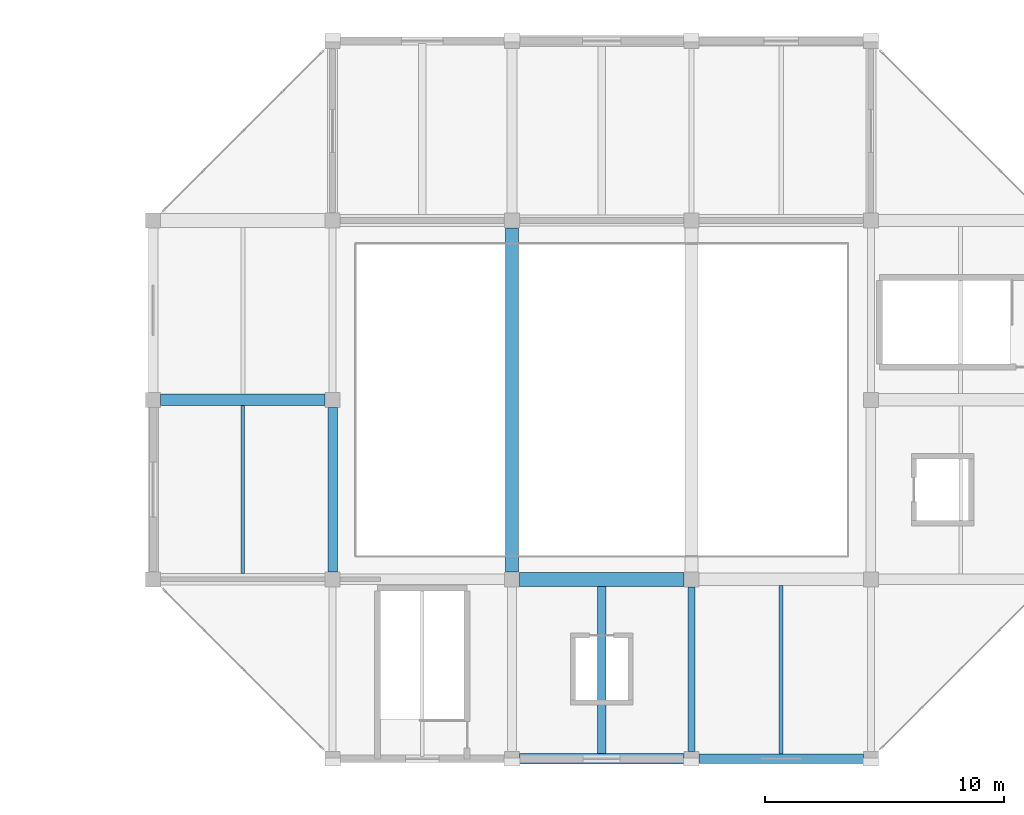
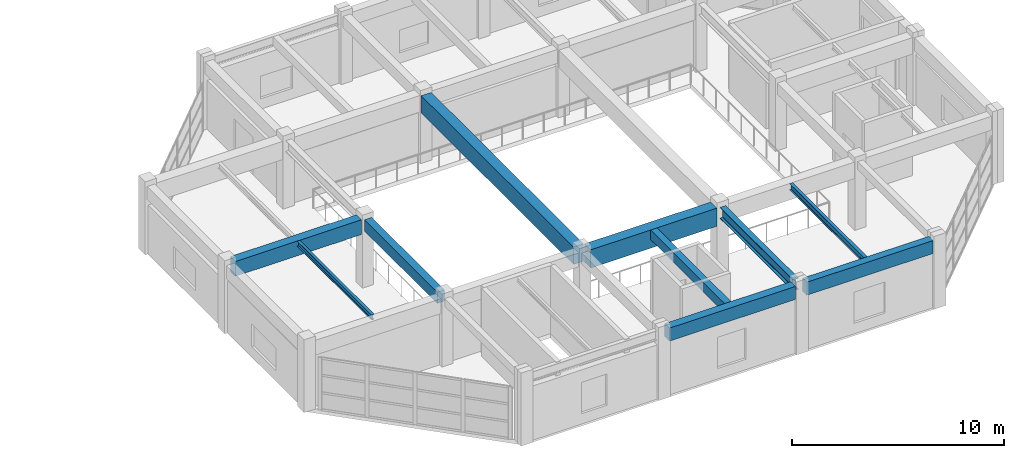
# One storey, part 60 of 124: 10 beams.
"""IFC4 building model written with IfcOpenShell, lengths in metres."""

from ifc_helpers import new_model, si_unit, direction, frame, origin, origin_2d, place, context, subcontext, project, spatial, rectangle, i_section, extrude, material, material_profile, profile_set, type_object, element, save


model = new_model("IFC4")

# Units and contexts
model_context = context("Model", 3, precision=1e-05, world=origin(), true_north=direction((0.0, 1.0)))
body_context = subcontext(model_context, "Body", "Model", "MODEL_VIEW")
ifc_project = project(units=[si_unit("LENGTHUNIT", "METRE"), si_unit("AREAUNIT", "SQUARE_METRE"), si_unit("VOLUMEUNIT", "CUBIC_METRE"), si_unit("PLANEANGLEUNIT", "RADIAN"), si_unit("MASSUNIT", "GRAM", prefix="KILO")], contexts=[model_context])

# Site, building, storey
site_placement = place(None, origin())
site = spatial("IfcSite", under=ifc_project, at=site_placement, CompositionType="ELEMENT")
building_placement = place(site_placement, origin())
building = spatial("IfcBuilding", under=site, at=building_placement, Name="Qasida Concert Hall", CompositionType="ELEMENT")
storey_placement = place(building_placement, frame((0.0, 0.0, 9.0)))
storey = spatial("IfcBuildingStorey", under=building, at=storey_placement, Name="L02", CompositionType="ELEMENT", Elevation=9.0)

# Beams
ifc_material_1 = material(Name="Concrete C40/50", Category="concrete")
ifc_material_profile_1 = material_profile(ifc_material_1, rectangle(XDim=0.39990234375, YDim=0.64990234375, at=origin_2d()), Name="RC 400x650")
ifc_profile_set_1 = profile_set([ifc_material_profile_1], Name="Concrete C40/50")
beam_type_1 = type_object("IfcBeamType", Name="BM-B1", PredefinedType="BEAM", material=ifc_profile_set_1)
beam_1_placement = place(storey_placement, frame((135.0, 7.81005859375, 3.574951171875), z_axis=(0.0, 1.0, 0.0), x_axis=(-1.0, 0.0, 0.0)))
element("IfcBeam", 1, at=beam_1_placement, inside=storey, type_object=beam_type_1, Name="L02 girder 1244", PredefinedType="BEAM", context=body_context, shape_type="SweptSolid", body=[
    extrude(rectangle(XDim=0.39990234375, YDim=0.64990234375, at=origin_2d()), origin(), (0.0, 0.0, 1.0), 6.8798828125),
])
ifc_material_2 = material(Name="Steel S355J2", Category="steel")
ifc_material_profile_2 = material_profile(ifc_material_2, i_section(OverallWidth=0.300048828125, OverallDepth=0.64990234375, WebThickness=0.01611328125, FlangeThickness=0.031005859375, FilletRadius=0.027099609375, at=origin_2d()), Name="HEB 650")
ifc_profile_set_2 = profile_set([ifc_material_profile_2], Name="Steel S355J2")
beam_type_2 = type_object("IfcBeamType", Name="BM-B13", PredefinedType="BEAM", material=ifc_profile_set_2)
beam_2_placement = place(storey_placement, frame((150.0, 0.31005859375, 3.574951171875), z_axis=(0.0, 1.0, 0.0), x_axis=(-1.0, 0.0, 0.0)))
element("IfcBeam", 2, at=beam_2_placement, inside=storey, type_object=beam_type_2, Name="L02 girder 1250", PredefinedType="BEAM", context=body_context, shape_type="SweptSolid", body=[
    extrude(i_section(OverallWidth=0.300048828125, OverallDepth=0.64990234375, WebThickness=0.01611328125, FlangeThickness=0.031005859375, FilletRadius=0.027099609375, at=origin_2d()), origin(), (0.0, 0.0, 1.0), 6.8798828125),
])
ifc_material_profile_3 = material_profile(ifc_material_1, rectangle(XDim=0.550048828125, YDim=1.0, at=origin_2d()), Name="RC 550x1000")
ifc_profile_set_3 = profile_set([ifc_material_profile_3], Name="Concrete C40/50")
beam_type_3 = type_object("IfcBeamType", Name="BM-G3", PredefinedType="USERDEFINED", material=ifc_profile_set_3)
beam_3_placement = place(storey_placement, frame((142.5, 7.81005859375, 3.39990234375), z_axis=(0.0, 1.0, 0.0), x_axis=(-1.0, 0.0, 0.0)))
element("IfcBeam", 3, at=beam_3_placement, inside=storey, type_object=beam_type_3, Name="L02 girder 1248", ObjectType="GIRDER", PredefinedType="USERDEFINED", context=body_context, shape_type="SweptSolid", body=[
    extrude(rectangle(XDim=0.550048828125, YDim=1.0, at=origin_2d()), origin(), (0.0, 0.0, 1.0), 14.3798828125),
])
ifc_material_profile_4 = material_profile(ifc_material_1, rectangle(XDim=0.47998046875, YDim=0.85009765625, at=origin_2d()), Name="RC 480x850")
ifc_profile_set_4 = profile_set([ifc_material_profile_4], Name="Concrete C40/50")
beam_type_4 = type_object("IfcBeamType", Name="BM-G6", PredefinedType="USERDEFINED", material=ifc_profile_set_4)
beam_4_placement = place(storey_placement, frame((127.81005859375, 15.0, 3.47509765625), z_axis=(1.0, 0.0, 0.0), x_axis=(0.0, 1.0, 0.0)))
element("IfcBeam", 4, at=beam_4_placement, inside=storey, type_object=beam_type_4, Name="Primary girder 1231", ObjectType="GIRDER", PredefinedType="USERDEFINED", context=body_context, shape_type="SweptSolid", body=[
    extrude(rectangle(XDim=0.47998046875, YDim=0.85009765625, at=origin_2d()), origin(), (0.0, 0.0, 1.0), 6.8798828125),
])
ifc_material_3 = material(Name="Concrete C50/60", Category="concrete")
ifc_material_profile_5 = material_profile(ifc_material_3, rectangle(XDim=0.580078125, YDim=1.050048828125, at=origin_2d()), Name="RC 580x1050")
ifc_profile_set_5 = profile_set([ifc_material_profile_5], Name="Concrete C50/60")
beam_type_5 = type_object("IfcBeamType", Name="BM-G8", PredefinedType="USERDEFINED", material=ifc_profile_set_5)
beam_5_placement = place(storey_placement, frame((142.81005859375, 7.5, 3.375), z_axis=(1.0, 0.0, 0.0), x_axis=(0.0, 1.0, 0.0)))
element("IfcBeam", 5, at=beam_5_placement, inside=storey, type_object=beam_type_5, Name="Primary girder 1228", ObjectType="GIRDER", PredefinedType="USERDEFINED", context=body_context, shape_type="SweptSolid", body=[
    extrude(rectangle(XDim=0.580078125, YDim=1.050048828125, at=origin_2d()), origin(), (0.0, 0.0, 1.0), 6.8798828125),
])
ifc_material_profile_6 = material_profile(ifc_material_2, i_section(OverallWidth=0.169921875, OverallDepth=0.360107421875, WebThickness=0.008056640625, FlangeThickness=0.0126953125, FilletRadius=0.01806640625, at=origin_2d()), Name="IPE 360")
ifc_profile_set_6 = profile_set([ifc_material_profile_6], Name="Steel S355J2")
beam_type_6 = type_object("IfcBeamType", Name="BM-J2", PredefinedType="JOIST", material=ifc_profile_set_6)
beam_6_placement = place(storey_placement, frame((153.75, 0.199951171875, 3.719970703125), z_axis=(0.0, 1.0, 0.0), x_axis=(-1.0, 0.0, 0.0)))
element("IfcBeam", 6, at=beam_6_placement, inside=storey, type_object=beam_type_6, Name="L02 secondary joist 1265", PredefinedType="JOIST", context=body_context, shape_type="SweptSolid", body=[
    extrude(i_section(OverallWidth=0.169921875, OverallDepth=0.360107421875, WebThickness=0.008056640625, FlangeThickness=0.0126953125, FilletRadius=0.01806640625, at=origin_2d()), origin(), (0.0, 0.0, 1.0), 7.0400390625),
])
ifc_material_profile_7 = material_profile(ifc_material_2, i_section(OverallWidth=0.14990234375, OverallDepth=0.300048828125, WebThickness=0.007080078125, FlangeThickness=0.0107421875, FilletRadius=0.014892578125, at=origin_2d()), Name="IPE 300")
ifc_profile_set_7 = profile_set([ifc_material_profile_7], Name="Steel S355J2")
beam_type_7 = type_object("IfcBeamType", Name="BM-J4", PredefinedType="JOIST", material=ifc_profile_set_7)
beam_7_placement = place(storey_placement, frame((131.25, 7.739990234375, 3.75), z_axis=(0.0, 1.0, 0.0), x_axis=(-1.0, 0.0, 0.0)))
element("IfcBeam", 7, at=beam_7_placement, inside=storey, type_object=beam_type_7, Name="L02 secondary joist 1259", PredefinedType="JOIST", context=body_context, shape_type="SweptSolid", body=[
    extrude(i_section(OverallWidth=0.14990234375, OverallDepth=0.300048828125, WebThickness=0.007080078125, FlangeThickness=0.0107421875, FilletRadius=0.014892578125, at=origin_2d()), origin(), (0.0, 0.0, 1.0), 7.02001953125),
])
ifc_material_profile_8 = material_profile(ifc_material_1, rectangle(XDim=0.35009765625, YDim=0.550048828125, at=origin_2d()), Name="RC 350x550")
ifc_profile_set_8 = profile_set([ifc_material_profile_8], Name="Concrete C40/50")
beam_type_8 = type_object("IfcBeamType", Name="BM-J8", PredefinedType="JOIST", material=ifc_profile_set_8)
beam_8_placement = place(storey_placement, frame((146.25, 0.22509765625, 3.625), z_axis=(0.0, 1.0, 0.0), x_axis=(-1.0, 0.0, 0.0)))
element("IfcBeam", 8, at=beam_8_placement, inside=storey, type_object=beam_type_8, Name="L02 secondary joist 1263", PredefinedType="JOIST", context=body_context, shape_type="SweptSolid", body=[
    extrude(rectangle(XDim=0.35009765625, YDim=0.550048828125, at=origin_2d()), origin(), (0.0, 0.0, 1.0), 6.98486328125),
])
ifc_material_profile_9 = material_profile(ifc_material_1, rectangle(XDim=0.39990234375, YDim=0.75, at=origin_2d()), Name="RC 400x750")
ifc_profile_set_9 = profile_set([ifc_material_profile_9], Name="Concrete C40/50")
beam_type_9 = type_object("IfcBeamType", Name="BM-SP1", PredefinedType="SPANDREL", material=ifc_profile_set_9)
beam_9_placement = place(storey_placement, frame((150.31005859375, 0.0, 3.52490234375), z_axis=(1.0, 0.0, 0.0), x_axis=(0.0, 1.0, 0.0)))
element("IfcBeam", 9, at=beam_9_placement, inside=storey, type_object=beam_type_9, Name="Primary girder 1225", PredefinedType="SPANDREL", context=body_context, shape_type="SweptSolid", body=[
    extrude(rectangle(XDim=0.39990234375, YDim=0.75, at=origin_2d()), origin(), (0.0, 0.0, 1.0), 6.8798828125),
])
ifc_material_profile_10 = material_profile(ifc_material_1, rectangle(XDim=0.449951171875, YDim=0.75, at=origin_2d()), Name="RC 450x750")
ifc_profile_set_10 = profile_set([ifc_material_profile_10], Name="Concrete C40/50")
beam_type_10 = type_object("IfcBeamType", Name="BM-SP4", PredefinedType="SPANDREL", material=ifc_profile_set_10)
beam_10_placement = place(storey_placement, frame((142.81005859375, 0.0, 3.52490234375), z_axis=(1.0, 0.0, 0.0), x_axis=(0.0, 1.0, 0.0)))
element("IfcBeam", 10, at=beam_10_placement, inside=storey, type_object=beam_type_10, Name="Primary girder 1224", PredefinedType="SPANDREL", context=body_context, shape_type="SweptSolid", body=[
    extrude(rectangle(XDim=0.449951171875, YDim=0.75, at=origin_2d()), origin(), (0.0, 0.0, 1.0), 6.8798828125),
])

save(model, "model.ifc")
